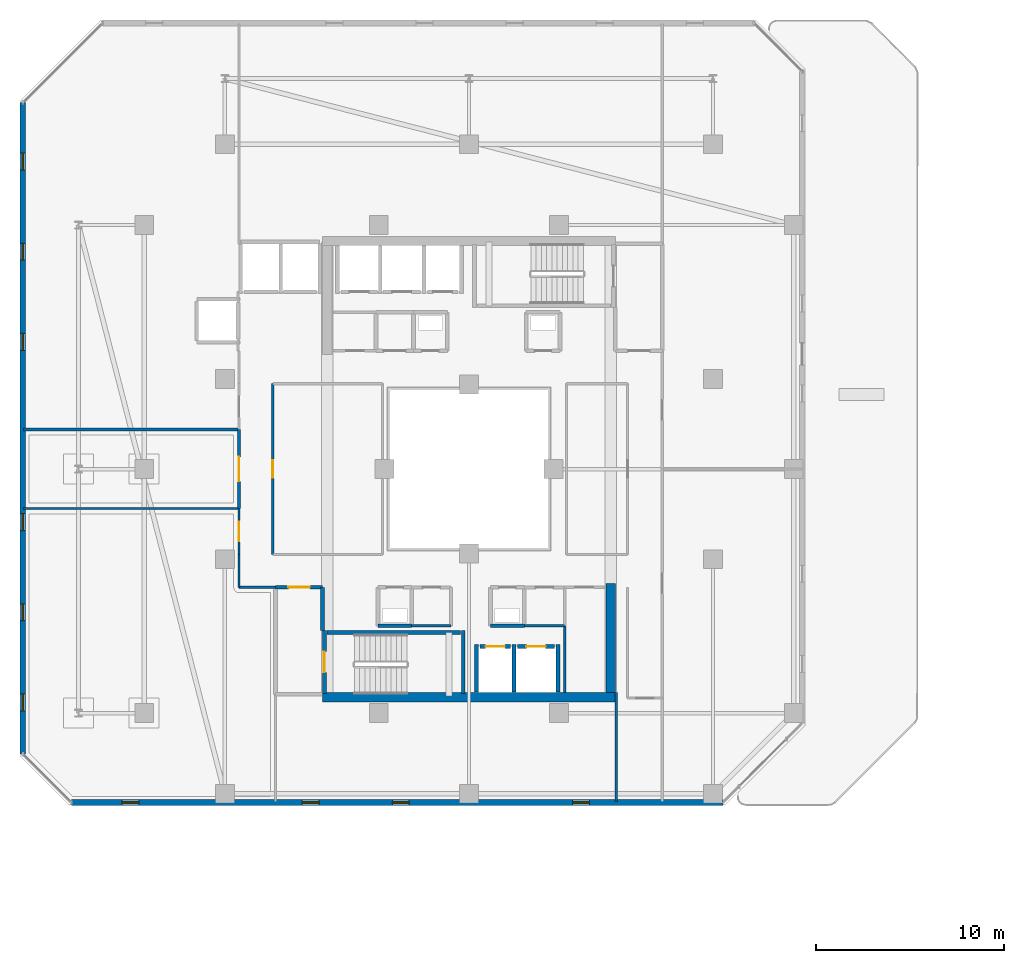
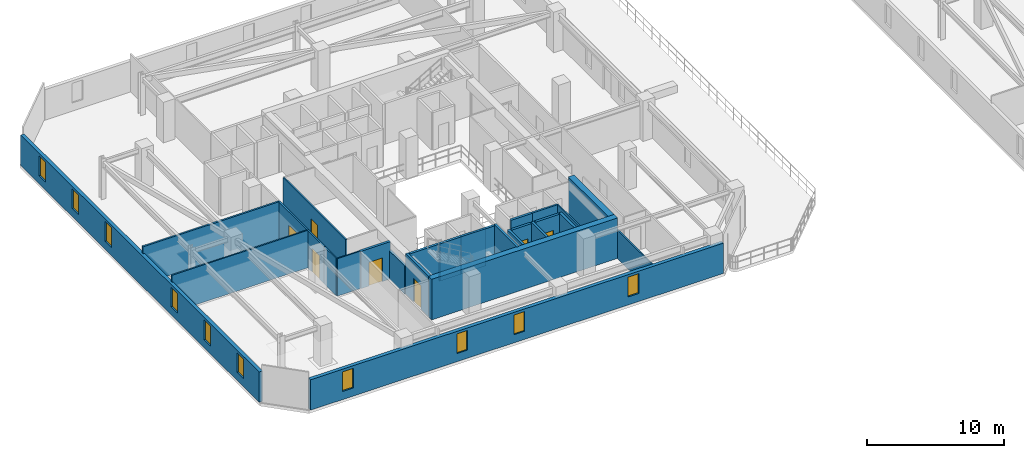
# One storey, part 20 of 32: 27 walls, 10 windows, 7 doors, 17 openings.
"""IFC4 building model written with IfcOpenShell, lengths in metres."""

from ifc_helpers import new_model, si_unit, direction, frame, frame_2d, origin, place, context, subcontext, project, spatial, rectangle, extrude, material, layer, layer_set, type_object, element, fill, save


model = new_model("IFC4")

# Units and contexts
model_context = context("Model", 3, precision=1e-05, world=origin(), true_north=direction((0.0, 1.0)))
body_context = subcontext(model_context, "Body", "Model", "MODEL_VIEW")
ifc_project = project(units=[si_unit("LENGTHUNIT", "METRE"), si_unit("AREAUNIT", "SQUARE_METRE"), si_unit("VOLUMEUNIT", "CUBIC_METRE"), si_unit("PLANEANGLEUNIT", "RADIAN"), si_unit("MASSUNIT", "GRAM", prefix="KILO")], contexts=[model_context])

# Site, building, storey
site_placement = place(None, origin())
site = spatial("IfcSite", under=ifc_project, at=site_placement, CompositionType="ELEMENT")
building_placement = place(site_placement, origin())
building = spatial("IfcBuilding", under=site, at=building_placement, Name="Thornwick Lancets Civic Towers", CompositionType="ELEMENT")
storey_placement = place(building_placement, frame((0.0, 0.0, 200.10009765625)))
storey = spatial("IfcBuildingStorey", under=building, at=storey_placement, Name="L53", CompositionType="ELEMENT", Elevation=200.10009765625)

# Wall, opening, door
ifc_material_1 = material(Name="Concrete blockwork C40/50", Category="masonry")
ifc_layer_1 = layer(ifc_material_1, 0.199951171875, Name="Concrete blockwork C40/50")
ifc_layer_set_1 = layer_set([ifc_layer_1], Name="Concrete blockwork C40/50")
wall_type_1 = type_object("IfcWallType", Name="WALL_COMP_200", PredefinedType="STANDARD", material=ifc_layer_set_1)
wall_1_placement = place(storey_placement, frame((26.080078125, 17.550048828125, 0.0), z_axis=(0.0, 0.0, 1.0), x_axis=(1.0, 0.0, 0.0)))
wall_1 = element("IfcWall", 1, at=wall_1_placement, inside=storey, type_object=wall_type_1, Name="L53 Hoistway Front Wall FL-A1", PredefinedType="STANDARD", context=body_context, shape_type="SweptSolid", body=[
    extrude(rectangle(XDim=1.639892578125, YDim=0.199951171875, at=frame_2d((0.81982421875, 0.0))), origin(), (0.0, 0.0, 1.0), 3.31982421875),
])
opening_1_placement = place(wall_1_placement, frame((0.31005859375, 0.0, 0.0)))
opening_1 = element("IfcOpeningElement", 2, at=opening_1_placement, cuts=wall_1, Name="Opening LD-FL-A1", PredefinedType="OPENING", context=body_context, shape_type="SweptSolid", body=[
    extrude(rectangle(XDim=1.02001953125, YDim=2.06005859375, at=frame_2d((0.510009765625, 1.030029296875))), frame((0.0, 0.10986328125, 0.0), z_axis=(0.0, -1.0, 0.0), x_axis=(1.0, 0.0, 0.0)), (0.0, 0.0, 1.0), 0.219970703125),
])
ifc_material_2 = material(Name="Brushed bronze stainless steel", Category="steel")
door_type_1 = type_object("IfcDoorType", Name="DOOR_LIFT_SLIDE", OperationType="SLIDING_TO_LEFT", PredefinedType="DOOR", material=ifc_material_2)
door_1_placement = place(opening_1_placement, origin())
door_1 = element("IfcDoor", 3, at=door_1_placement, inside=storey, type_object=door_type_1, Name="L53 Sliding Lift Landing Door LD-FL-A1", OperationType="SLIDING_TO_LEFT", OverallHeight=2.06005859375, OverallWidth=1.02001953125, PredefinedType="DOOR", context=body_context, shape_type="SweptSolid", body=[
    extrude(rectangle(XDim=1.02001953125, YDim=2.06005859375, at=frame_2d((0.510009765625, 1.030029296875))), frame((0.0, 0.02490234375, 0.0), z_axis=(0.0, -1.0, 0.0), x_axis=(1.0, 0.0, 0.0)), (0.0, 0.0, 1.0), 0.050048828125),
])
fill(opening_1, door_1)

wall_2_placement = place(storey_placement, frame((28.080078125, 17.550048828125, 0.0), z_axis=(0.0, 0.0, 1.0), x_axis=(1.0, 0.0, 0.0)))
wall_2 = element("IfcWall", 4, at=wall_2_placement, inside=storey, type_object=wall_type_1, Name="L53 Hoistway Front Wall PL-AH1", PredefinedType="STANDARD", context=body_context, shape_type="SweptSolid", body=[
    extrude(rectangle(XDim=1.989990234375, YDim=0.199951171875, at=frame_2d((0.9951171875, 0.0))), origin(), (0.0, 0.0, 1.0), 3.31982421875),
])
opening_2_placement = place(wall_2_placement, frame((0.485107421875, 0.0, 0.0)))
opening_2 = element("IfcOpeningElement", 5, at=opening_2_placement, cuts=wall_2, Name="Opening LD-PL-AH1", PredefinedType="OPENING", context=body_context, shape_type="SweptSolid", body=[
    extrude(rectangle(XDim=1.02001953125, YDim=2.06005859375, at=frame_2d((0.510009765625, 1.030029296875))), frame((0.0, 0.10986328125, 0.0), z_axis=(0.0, -1.0, 0.0), x_axis=(1.0, 0.0, 0.0)), (0.0, 0.0, 1.0), 0.219970703125),
])
door_2_placement = place(opening_2_placement, origin())
door_2 = element("IfcDoor", 6, at=door_2_placement, inside=storey, type_object=door_type_1, Name="L53 Sliding Lift Landing Door LD-PL-AH1", OperationType="SLIDING_TO_LEFT", OverallHeight=2.06005859375, OverallWidth=1.02001953125, PredefinedType="DOOR", context=body_context, shape_type="SweptSolid", body=[
    extrude(rectangle(XDim=1.02001953125, YDim=2.06005859375, at=frame_2d((0.510009765625, 1.030029296875))), frame((0.0, 0.02490234375, 0.0), z_axis=(0.0, -1.0, 0.0), x_axis=(1.0, 0.0, 0.0)), (0.0, 0.0, 1.0), 0.050048828125),
])
fill(opening_2, door_2)

# Walls
for number, where, z_axis, x_axis, name in (
    (7, (27.89990234375, 15.112060546875, 0.0), (0.0, 0.0, 1.0), (0.0, 1.0, 0.0), "L53 Hoistway Shaft Wall FL-A1 E"),
    (8, (25.89990234375, 15.112060546875, 0.0), (0.0, 0.0, 1.0), (0.0, 1.0, 0.0), "L53 Hoistway Shaft Wall FL-A1 W"),
    (9, (30.25, 15.112060546875, 0.0), (0.0, 0.0, 1.0), (0.0, 1.0, 0.0), "L53 Hoistway Shaft Wall PL-AH1 E"),
):
    element("IfcWall", number, at=place(storey_placement, frame(where, z_axis=z_axis, x_axis=x_axis)), inside=storey, type_object=wall_type_1, Name=name, PredefinedType="STANDARD", context=body_context, shape_type="SweptSolid", body=[
        extrude(rectangle(XDim=2.535888671875, YDim=0.199951171875, at=frame_2d((1.26806640625, 0.0))), origin(), (0.0, 0.0, 1.0), 3.31982421875),
    ])
wall_3_placement = place(storey_placement, frame((17.699951171875, 18.39990234375, 0.0), z_axis=(0.0, 0.0, 1.0), x_axis=(0.0, 1.0, 0.0)))
element("IfcWall", 10, at=wall_3_placement, inside=storey, type_object=wall_type_1, Name="L53 Partition L53-A-FFLOB1 E2", PredefinedType="STANDARD", context=body_context, shape_type="SweptSolid", body=[
    extrude(rectangle(XDim=2.300048828125, YDim=0.199951171875, at=frame_2d((1.14990234375, 0.0))), origin(), (0.0, 0.0, 1.0), 2.52490234375),
])

# Wall, opening, door
wall_4_placement = place(storey_placement, frame((17.699951171875, 20.699951171875, 0.0), z_axis=(0.0, 0.0, 1.0), x_axis=(-1.0, 0.0, 0.0)))
wall_4 = element("IfcWall", 11, at=wall_4_placement, inside=storey, type_object=wall_type_1, Name="L53 Partition L53-A-FFLOB1 E3", PredefinedType="STANDARD", context=body_context, shape_type="SweptSolid", body=[
    extrude(rectangle(XDim=2.5, YDim=0.199951171875, at=frame_2d((1.25, 0.0))), origin(), (0.0, 0.0, 1.0), 3.31982421875),
])
opening_3_placement = place(wall_4_placement, frame((0.675048828125, 0.0, 0.0)))
opening_3 = element("IfcOpeningElement", 12, at=opening_3_placement, cuts=wall_4, Name="Opening D-L53-2345", PredefinedType="OPENING", context=body_context, shape_type="SweptSolid", body=[
    extrude(rectangle(XDim=1.14990234375, YDim=2.10009765625, at=frame_2d((0.574951171875, 1.050048828125))), frame((0.0, 0.10986328125, 0.0), z_axis=(0.0, -1.0, 0.0), x_axis=(1.0, 0.0, 0.0)), (0.0, 0.0, 1.0), 0.219970703125),
])
ifc_material_3 = material(Name="Glazed fire-resisting steel", Category="steel")
door_type_2 = type_object("IfcDoorType", Name="DOOR_LOBBY_FD60", OperationType="NOTDEFINED", PredefinedType="DOOR", material=ifc_material_3)
door_3_placement = place(opening_3_placement, origin())
door_3 = element("IfcDoor", 13, at=door_3_placement, inside=storey, type_object=door_type_2, Name="L53 South Firefighting Lobby 1 Door", OperationType="SINGLE_SWING_RIGHT", OverallHeight=2.10009765625, OverallWidth=1.14990234375, PredefinedType="DOOR", context=body_context, shape_type="SweptSolid", body=[
    extrude(rectangle(XDim=1.14990234375, YDim=2.10009765625, at=frame_2d((0.574951171875, 1.050048828125))), frame((0.0, 0.02490234375, 0.0), z_axis=(0.0, -1.0, 0.0), x_axis=(1.0, 0.0, 0.0)), (0.0, 0.0, 1.0), 0.050048828125),
])
fill(opening_3, door_3)

# Walls
for number, where, z_axis, x_axis, name in (
    (14, (26.64990234375, 18.64990234375, 0.0), (0.0, 0.0, 1.0), (1.0, 0.0, 0.0), "L53 Partition L53-A-DUCT1 E1"),
    (15, (20.64990234375, 18.64990234375, 0.0), (0.0, 0.0, 1.0), (1.0, 0.0, 0.0), "L53 Partition L53-A-RISER1 E1"),
):
    element("IfcWall", number, at=place(storey_placement, frame(where, z_axis=z_axis, x_axis=x_axis)), inside=storey, type_object=wall_type_1, Name=name, PredefinedType="STANDARD", context=body_context, shape_type="SweptSolid", body=[
        extrude(rectangle(XDim=1.800048828125, YDim=0.199951171875, at=frame_2d((0.89990234375, 0.0))), origin(), (0.0, 0.0, 1.0), 3.31982421875),
    ])
ifc_material_4 = material(Name="Concrete C50/60", Category="concrete")
ifc_layer_2 = layer(ifc_material_4, 0.5, Name="Concrete C50/60")
ifc_layer_set_2 = layer_set([ifc_layer_2], Name="Concrete C50/60")
wall_type_2 = type_object("IfcWallType", Name="WALL_CORE_500", PredefinedType="SHEAR", material=ifc_layer_set_2)
wall_5_placement = place(storey_placement, frame((17.699951171875, 14.85009765625, 0.0), z_axis=(0.0, 0.0, 1.0), x_axis=(1.0, 0.0, 0.0)))
element("IfcWall", 16, at=wall_5_placement, inside=storey, type_object=wall_type_2, Name="L53 Split Core A1 Shear Wall S", PredefinedType="SHEAR", context=body_context, shape_type="SweptSolid", body=[
    extrude(rectangle(XDim=15.60009765625, YDim=0.5, at=frame_2d((7.800048828125, 0.0))), origin(), (0.0, 0.0, 1.0), 3.599853515625),
])
wall_6_placement = place(storey_placement, frame((33.050048828125, 15.10009765625, 0.0), z_axis=(0.0, 0.0, 1.0), x_axis=(0.0, 1.0, 0.0)))
element("IfcWall", 17, at=wall_6_placement, inside=storey, type_object=wall_type_2, Name="L53 Split Core A1 Shear Wall E", PredefinedType="SHEAR", context=body_context, shape_type="SweptSolid", body=[
    extrude(rectangle(XDim=5.7998046875, YDim=0.5, at=frame_2d((2.89990234375, 0.0))), origin(), (0.0, 0.0, 1.0), 3.599853515625),
])

# Wall, openings, windows
ifc_material_5 = material(Name="Insulated russet terracotta rainscreen on concrete C40/50", Category="masonry")
ifc_layer_3 = layer(ifc_material_5, 0.300048828125, Name="Insulated russet terracotta rainscreen on concrete C40/50")
ifc_layer_set_3 = layer_set([ifc_layer_3], Name="Insulated russet terracotta rainscreen on concrete C40/50")
wall_type_3 = type_object("IfcWallType", Name="WALL_EXT_RUSSET_300", PredefinedType="STANDARD", material=ifc_layer_set_3)
wall_7_placement = place(storey_placement, frame((4.318603515625, 9.2353515625, 0.0), z_axis=(0.0, 0.0, 1.0), x_axis=(0.999999988026, 0.000154754115, 0.0)))
wall_7 = element("IfcWall", 18, at=wall_7_placement, inside=storey, type_object=wall_type_3, Name="L53 Tower A Terracotta Facade Wall E0", PredefinedType="STANDARD", context=body_context, shape_type="SweptSolid", body=[
    extrude(rectangle(XDim=34.707275390625, YDim=0.300048828125, at=frame_2d((17.353515625, 0.0))), origin(), (0.0, 0.0, 1.0), 2.699951171875),
])
opening_4_placement = place(wall_7_placement, frame((2.699951171875, 0.0, 0.719970703125)))
opening_4 = element("IfcOpeningElement", 19, at=opening_4_placement, cuts=wall_7, Name="Opening WL-01", PredefinedType="OPENING", context=body_context, shape_type="SweptSolid", body=[
    extrude(rectangle(XDim=0.89990234375, YDim=1.75, at=frame_2d((0.449951171875, 0.875))), frame((0.0, 0.16015625, 0.0), z_axis=(0.0, -1.0, 0.0), x_axis=(1.0, 0.0, 0.0)), (0.0, 0.0, 1.0), 0.320068359375),
])
opening_5_placement = place(wall_7_placement, frame((12.300048828125, 0.0, 0.719970703125)))
opening_5 = element("IfcOpeningElement", 20, at=opening_5_placement, cuts=wall_7, Name="Opening WL-01", PredefinedType="OPENING", context=body_context, shape_type="SweptSolid", body=[
    extrude(rectangle(XDim=0.89990234375, YDim=1.75, at=frame_2d((0.449951171875, 0.875))), frame((0.0, 0.16015625, 0.0), z_axis=(0.0, -1.0, 0.0), x_axis=(1.0, 0.0, 0.0)), (0.0, 0.0, 1.0), 0.320068359375),
])
opening_6_placement = place(wall_7_placement, frame((17.10009765625, 0.0, 0.719970703125)))
opening_6 = element("IfcOpeningElement", 21, at=opening_6_placement, cuts=wall_7, Name="Opening WL-01", PredefinedType="OPENING", context=body_context, shape_type="SweptSolid", body=[
    extrude(rectangle(XDim=0.89990234375, YDim=1.75, at=frame_2d((0.449951171875, 0.875))), frame((0.0, 0.16015625, 0.0), z_axis=(0.0, -1.0, 0.0), x_axis=(1.0, 0.0, 0.0)), (0.0, 0.0, 1.0), 0.320068359375),
])
opening_7_placement = place(wall_7_placement, frame((26.699951171875, 0.0, 0.719970703125)))
opening_7 = element("IfcOpeningElement", 22, at=opening_7_placement, cuts=wall_7, Name="Opening WL-01", PredefinedType="OPENING", context=body_context, shape_type="SweptSolid", body=[
    extrude(rectangle(XDim=0.89990234375, YDim=1.75, at=frame_2d((0.449951171875, 0.875))), frame((0.0, 0.16015625, 0.0), z_axis=(0.0, -1.0, 0.0), x_axis=(1.0, 0.0, 0.0)), (0.0, 0.0, 1.0), 0.320068359375),
])
ifc_material_6 = material(Name="Clear low-e double glazing in bronze frame", Category="glass")
window_type = type_object("IfcWindowType", Name="WIN_LANCET_900", PartitioningType="SINGLE_PANEL", PredefinedType="WINDOW", material=ifc_material_6)
window_1_placement = place(opening_4_placement, origin())
window_1 = element("IfcWindow", 23, at=window_1_placement, inside=storey, type_object=window_type, Name="L53 Tower A Staggered Lancet Window E0-1", OverallHeight=1.75, OverallWidth=0.89990234375, PartitioningType="SINGLE_PANEL", PredefinedType="WINDOW", context=body_context, shape_type="SweptSolid", body=[
    extrude(rectangle(XDim=0.89990234375, YDim=1.75, at=frame_2d((0.449951171875, 0.875))), frame((0.0, 0.030029296875, 0.0), z_axis=(0.0, -1.0, 0.0), x_axis=(1.0, 0.0, 0.0)), (0.0, 0.0, 1.0), 0.06005859375),
])
fill(opening_4, window_1)
window_2_placement = place(opening_5_placement, origin())
window_2 = element("IfcWindow", 24, at=window_2_placement, inside=storey, type_object=window_type, Name="L53 Tower A Staggered Lancet Window E0-2", OverallHeight=1.75, OverallWidth=0.89990234375, PartitioningType="SINGLE_PANEL", PredefinedType="WINDOW", context=body_context, shape_type="SweptSolid", body=[
    extrude(rectangle(XDim=0.89990234375, YDim=1.75, at=frame_2d((0.449951171875, 0.875))), frame((0.0, 0.030029296875, 0.0), z_axis=(0.0, -1.0, 0.0), x_axis=(1.0, 0.0, 0.0)), (0.0, 0.0, 1.0), 0.06005859375),
])
fill(opening_5, window_2)
window_3_placement = place(opening_6_placement, origin())
window_3 = element("IfcWindow", 25, at=window_3_placement, inside=storey, type_object=window_type, Name="L53 Tower A Staggered Lancet Window E0-3", OverallHeight=1.75, OverallWidth=0.89990234375, PartitioningType="SINGLE_PANEL", PredefinedType="WINDOW", context=body_context, shape_type="SweptSolid", body=[
    extrude(rectangle(XDim=0.89990234375, YDim=1.75, at=frame_2d((0.449951171875, 0.875))), frame((0.0, 0.030029296875, 0.0), z_axis=(0.0, -1.0, 0.0), x_axis=(1.0, 0.0, 0.0)), (0.0, 0.0, 1.0), 0.06005859375),
])
fill(opening_6, window_3)
window_4_placement = place(opening_7_placement, origin())
window_4 = element("IfcWindow", 26, at=window_4_placement, inside=storey, type_object=window_type, Name="L53 Tower A Staggered Lancet Window E0-4", OverallHeight=1.75, OverallWidth=0.89990234375, PartitioningType="SINGLE_PANEL", PredefinedType="WINDOW", context=body_context, shape_type="SweptSolid", body=[
    extrude(rectangle(XDim=0.89990234375, YDim=1.75, at=frame_2d((0.449951171875, 0.875))), frame((0.0, 0.030029296875, 0.0), z_axis=(0.0, -1.0, 0.0), x_axis=(1.0, 0.0, 0.0)), (0.0, 0.0, 1.0), 0.06005859375),
])
fill(opening_7, window_4)

wall_8_placement = place(storey_placement, frame((1.74072265625, 46.52587890625, 0.0), z_axis=(0.0, 0.0, 1.0), x_axis=(-0.000154754115, -0.999999988026, 0.0)))
wall_8 = element("IfcWall", 27, at=wall_8_placement, inside=storey, type_object=wall_type_3, Name="L53 Tower A Terracotta Facade Wall E6", PredefinedType="STANDARD", context=body_context, shape_type="SweptSolid", body=[
    extrude(rectangle(XDim=34.707275390625, YDim=0.300048828125, at=frame_2d((17.353515625, 0.0))), origin(), (0.0, 0.0, 1.0), 2.699951171875),
])
opening_8_placement = place(wall_8_placement, frame((2.699951171875, 0.0, 0.719970703125)))
opening_8 = element("IfcOpeningElement", 28, at=opening_8_placement, cuts=wall_8, Name="Opening WL-01", PredefinedType="OPENING", context=body_context, shape_type="SweptSolid", body=[
    extrude(rectangle(XDim=0.89990234375, YDim=1.75, at=frame_2d((0.449951171875, 0.875))), frame((0.0, 0.16015625, 0.0), z_axis=(0.0, -1.0, 0.0), x_axis=(1.0, 0.0, 0.0)), (0.0, 0.0, 1.0), 0.320068359375),
])
opening_9_placement = place(wall_8_placement, frame((7.5, 0.0, 0.719970703125)))
opening_9 = element("IfcOpeningElement", 29, at=opening_9_placement, cuts=wall_8, Name="Opening WL-01", PredefinedType="OPENING", context=body_context, shape_type="SweptSolid", body=[
    extrude(rectangle(XDim=0.89990234375, YDim=1.75, at=frame_2d((0.449951171875, 0.875))), frame((0.0, 0.16015625, 0.0), z_axis=(0.0, -1.0, 0.0), x_axis=(1.0, 0.0, 0.0)), (0.0, 0.0, 1.0), 0.320068359375),
])
opening_10_placement = place(wall_8_placement, frame((12.300048828125, 0.0, 0.719970703125)))
opening_10 = element("IfcOpeningElement", 30, at=opening_10_placement, cuts=wall_8, Name="Opening WL-01", PredefinedType="OPENING", context=body_context, shape_type="SweptSolid", body=[
    extrude(rectangle(XDim=0.89990234375, YDim=1.75, at=frame_2d((0.449951171875, 0.875))), frame((0.0, 0.16015625, 0.0), z_axis=(0.0, -1.0, 0.0), x_axis=(1.0, 0.0, 0.0)), (0.0, 0.0, 1.0), 0.320068359375),
])
opening_11_placement = place(wall_8_placement, frame((21.89990234375, 0.0, 0.719970703125)))
opening_11 = element("IfcOpeningElement", 31, at=opening_11_placement, cuts=wall_8, Name="Opening WL-01", PredefinedType="OPENING", context=body_context, shape_type="SweptSolid", body=[
    extrude(rectangle(XDim=0.89990234375, YDim=1.75, at=frame_2d((0.449951171875, 0.875))), frame((0.0, 0.16015625, 0.0), z_axis=(0.0, -1.0, 0.0), x_axis=(1.0, 0.0, 0.0)), (0.0, 0.0, 1.0), 0.320068359375),
])
opening_12_placement = place(wall_8_placement, frame((26.699951171875, 0.0, 0.719970703125)))
opening_12 = element("IfcOpeningElement", 32, at=opening_12_placement, cuts=wall_8, Name="Opening WL-01", PredefinedType="OPENING", context=body_context, shape_type="SweptSolid", body=[
    extrude(rectangle(XDim=0.89990234375, YDim=1.75, at=frame_2d((0.449951171875, 0.875))), frame((0.0, 0.16015625, 0.0), z_axis=(0.0, -1.0, 0.0), x_axis=(1.0, 0.0, 0.0)), (0.0, 0.0, 1.0), 0.320068359375),
])
opening_13_placement = place(wall_8_placement, frame((31.5, 0.0, 0.719970703125)))
opening_13 = element("IfcOpeningElement", 33, at=opening_13_placement, cuts=wall_8, Name="Opening WL-01", PredefinedType="OPENING", context=body_context, shape_type="SweptSolid", body=[
    extrude(rectangle(XDim=0.89990234375, YDim=1.75, at=frame_2d((0.449951171875, 0.875))), frame((0.0, 0.16015625, 0.0), z_axis=(0.0, -1.0, 0.0), x_axis=(1.0, 0.0, 0.0)), (0.0, 0.0, 1.0), 0.320068359375),
])
window_5_placement = place(opening_8_placement, origin())
window_5 = element("IfcWindow", 34, at=window_5_placement, inside=storey, type_object=window_type, Name="L53 Tower A Staggered Lancet Window E6-1", OverallHeight=1.75, OverallWidth=0.89990234375, PartitioningType="SINGLE_PANEL", PredefinedType="WINDOW", context=body_context, shape_type="SweptSolid", body=[
    extrude(rectangle(XDim=0.89990234375, YDim=1.75, at=frame_2d((0.449951171875, 0.875))), frame((0.0, 0.030029296875, 0.0), z_axis=(0.0, -1.0, 0.0), x_axis=(1.0, 0.0, 0.0)), (0.0, 0.0, 1.0), 0.06005859375),
])
fill(opening_8, window_5)
window_6_placement = place(opening_9_placement, origin())
window_6 = element("IfcWindow", 35, at=window_6_placement, inside=storey, type_object=window_type, Name="L53 Tower A Staggered Lancet Window E6-2", OverallHeight=1.75, OverallWidth=0.89990234375, PartitioningType="SINGLE_PANEL", PredefinedType="WINDOW", context=body_context, shape_type="SweptSolid", body=[
    extrude(rectangle(XDim=0.89990234375, YDim=1.75, at=frame_2d((0.449951171875, 0.875))), frame((0.0, 0.030029296875, 0.0), z_axis=(0.0, -1.0, 0.0), x_axis=(1.0, 0.0, 0.0)), (0.0, 0.0, 1.0), 0.06005859375),
])
fill(opening_9, window_6)
window_7_placement = place(opening_10_placement, origin())
window_7 = element("IfcWindow", 36, at=window_7_placement, inside=storey, type_object=window_type, Name="L53 Tower A Staggered Lancet Window E6-3", OverallHeight=1.75, OverallWidth=0.89990234375, PartitioningType="SINGLE_PANEL", PredefinedType="WINDOW", context=body_context, shape_type="SweptSolid", body=[
    extrude(rectangle(XDim=0.89990234375, YDim=1.75, at=frame_2d((0.449951171875, 0.875))), frame((0.0, 0.030029296875, 0.0), z_axis=(0.0, -1.0, 0.0), x_axis=(1.0, 0.0, 0.0)), (0.0, 0.0, 1.0), 0.06005859375),
])
fill(opening_10, window_7)
window_8_placement = place(opening_11_placement, origin())
window_8 = element("IfcWindow", 37, at=window_8_placement, inside=storey, type_object=window_type, Name="L53 Tower A Staggered Lancet Window E6-4", OverallHeight=1.75, OverallWidth=0.89990234375, PartitioningType="SINGLE_PANEL", PredefinedType="WINDOW", context=body_context, shape_type="SweptSolid", body=[
    extrude(rectangle(XDim=0.89990234375, YDim=1.75, at=frame_2d((0.449951171875, 0.875))), frame((0.0, 0.030029296875, 0.0), z_axis=(0.0, -1.0, 0.0), x_axis=(1.0, 0.0, 0.0)), (0.0, 0.0, 1.0), 0.06005859375),
])
fill(opening_11, window_8)
window_9_placement = place(opening_12_placement, origin())
window_9 = element("IfcWindow", 38, at=window_9_placement, inside=storey, type_object=window_type, Name="L53 Tower A Staggered Lancet Window E6-5", OverallHeight=1.75, OverallWidth=0.89990234375, PartitioningType="SINGLE_PANEL", PredefinedType="WINDOW", context=body_context, shape_type="SweptSolid", body=[
    extrude(rectangle(XDim=0.89990234375, YDim=1.75, at=frame_2d((0.449951171875, 0.875))), frame((0.0, 0.030029296875, 0.0), z_axis=(0.0, -1.0, 0.0), x_axis=(1.0, 0.0, 0.0)), (0.0, 0.0, 1.0), 0.06005859375),
])
fill(opening_12, window_9)
window_10_placement = place(opening_13_placement, origin())
window_10 = element("IfcWindow", 39, at=window_10_placement, inside=storey, type_object=window_type, Name="L53 Tower A Staggered Lancet Window E6-6", OverallHeight=1.75, OverallWidth=0.89990234375, PartitioningType="SINGLE_PANEL", PredefinedType="WINDOW", context=body_context, shape_type="SweptSolid", body=[
    extrude(rectangle(XDim=0.89990234375, YDim=1.75, at=frame_2d((0.449951171875, 0.875))), frame((0.0, 0.030029296875, 0.0), z_axis=(0.0, -1.0, 0.0), x_axis=(1.0, 0.0, 0.0)), (0.0, 0.0, 1.0), 0.06005859375),
])
fill(opening_13, window_10)

# Walls
ifc_material_7 = material(Name="Acoustic gypsum board partition")
ifc_layer_4 = layer(ifc_material_7, 0.1201171875, Name="Acoustic gypsum board partition")
ifc_layer_set_4 = layer_set([ifc_layer_4], Name="Acoustic gypsum board partition")
wall_type_4 = type_object("IfcWallType", Name="WALL_PART_120", PredefinedType="PARTITIONING", material=ifc_layer_set_4)
wall_9_placement = place(storey_placement, frame((30.60009765625, 15.10009765625, 0.0), z_axis=(0.0, 0.0, 1.0), x_axis=(0.0, 1.0, 0.0)))
element("IfcWall", 40, at=wall_9_placement, inside=storey, type_object=wall_type_4, Name="L53 Partition L53-A-ITR E3", PredefinedType="PARTITIONING", context=body_context, shape_type="SweptSolid", body=[
    extrude(rectangle(XDim=3.5498046875, YDim=0.1201171875, at=frame_2d((1.77490234375, 0.0))), origin(), (0.0, 0.0, 1.0), 3.31982421875),
])
wall_10_placement = place(storey_placement, frame((33.35009765625, 9.280029296875, 0.0), z_axis=(0.0, 0.0, 1.0), x_axis=(0.0, 1.0, 0.0)))
element("IfcWall", 41, at=wall_10_placement, inside=storey, type_object=wall_type_4, Name="L53 Partition L53-A-RECLAIM-L E6", PredefinedType="PARTITIONING", context=body_context, shape_type="SweptSolid", body=[
    extrude(rectangle(XDim=5.820068359375, YDim=0.1201171875, at=frame_2d((2.91015625, 0.0))), origin(), (0.0, 0.0, 1.0), 2.52490234375),
])
wall_11_placement = place(storey_placement, frame((1.780029296875, 24.89990234375, 0.0), z_axis=(0.0, 0.0, 1.0), x_axis=(1.0, 0.0, 0.0)))
element("IfcWall", 42, at=wall_11_placement, inside=storey, type_object=wall_type_4, Name="L53 Partition L53-A-W1 E2", PredefinedType="PARTITIONING", context=body_context, shape_type="SweptSolid", body=[
    extrude(rectangle(XDim=11.469970703125, YDim=0.1201171875, at=frame_2d((5.73486328125, 0.0))), origin(), (0.0, 0.0, 1.0), 3.31982421875),
])

# Wall, opening, door
wall_12_placement = place(storey_placement, frame((13.25, 24.89990234375, 0.0), z_axis=(0.0, 0.0, 1.0), x_axis=(0.0, -1.0, 0.0)))
wall_12 = element("IfcWall", 43, at=wall_12_placement, inside=storey, type_object=wall_type_4, Name="L53 Partition L53-A-W1 E3", PredefinedType="PARTITIONING", context=body_context, shape_type="SweptSolid", body=[
    extrude(rectangle(XDim=2.449951171875, YDim=0.1201171875, at=frame_2d((1.22509765625, 0.0))), origin(), (0.0, 0.0, 1.0), 3.31982421875),
])
opening_14_placement = place(wall_12_placement, frame((0.699951171875, 0.0, 0.0)))
opening_14 = element("IfcOpeningElement", 44, at=opening_14_placement, cuts=wall_12, Name="Opening D-L53-2368", PredefinedType="OPENING", context=body_context, shape_type="SweptSolid", body=[
    extrude(rectangle(XDim=1.050048828125, YDim=2.10009765625, at=frame_2d((0.52490234375, 1.050048828125))), frame((0.0, 0.070068359375, 0.0), z_axis=(0.0, -1.0, 0.0), x_axis=(1.0, 0.0, 0.0)), (0.0, 0.0, 1.0), 0.14013671875),
])
ifc_material_8 = material(Name="Glazed European oak executive doorset")
door_type_3 = type_object("IfcDoorType", Name="DOOR_OFFICE_1050", OperationType="NOTDEFINED", PredefinedType="DOOR", material=ifc_material_8)
door_4_placement = place(opening_14_placement, origin())
door_4 = element("IfcDoor", 45, at=door_4_placement, inside=storey, type_object=door_type_3, Name="L53 Tower A Ministry Directorate Office W1 Door", OperationType="SINGLE_SWING_LEFT", OverallHeight=2.10009765625, OverallWidth=1.050048828125, PredefinedType="DOOR", context=body_context, shape_type="SweptSolid", body=[
    extrude(rectangle(XDim=1.050048828125, YDim=2.10009765625, at=frame_2d((0.52490234375, 1.050048828125))), frame((0.0, 0.02490234375, 0.0), z_axis=(0.0, -1.0, 0.0), x_axis=(1.0, 0.0, 0.0)), (0.0, 0.0, 1.0), 0.050048828125),
])
fill(opening_14, door_4)

# Walls
wall_13_placement = place(storey_placement, frame((13.25, 22.449951171875, 0.0), z_axis=(0.0, 0.0, 1.0), x_axis=(0.0, -1.0, 0.0)))
element("IfcWall", 46, at=wall_13_placement, inside=storey, type_object=wall_type_4, Name="L53 Partition L53-A-W1 E4", PredefinedType="PARTITIONING", context=body_context, shape_type="SweptSolid", body=[
    extrude(rectangle(XDim=1.75, YDim=0.1201171875, at=frame_2d((0.875, 0.0))), origin(), (0.0, 0.0, 1.0), 3.31982421875),
])
wall_14_placement = place(storey_placement, frame((13.25, 20.699951171875, 0.0), z_axis=(0.0, 0.0, 1.0), x_axis=(1.0, 0.0, 0.0)))
element("IfcWall", 47, at=wall_14_placement, inside=storey, type_object=wall_type_4, Name="L53 Partition L53-A-W1 E5", PredefinedType="PARTITIONING", context=body_context, shape_type="SweptSolid", body=[
    extrude(rectangle(XDim=1.949951171875, YDim=0.1201171875, at=frame_2d((0.97509765625, 0.0))), origin(), (0.0, 0.0, 1.0), 3.31982421875),
])

# Wall, opening, door
wall_15_placement = place(storey_placement, frame((15.050048828125, 22.449951171875, 0.0), z_axis=(0.0, 0.0, 1.0), x_axis=(0.0, 1.0, 0.0)))
wall_15 = element("IfcWall", 48, at=wall_15_placement, inside=storey, type_object=wall_type_4, Name="L53 Partition L53-A-W3 E1", PredefinedType="PARTITIONING", context=body_context, shape_type="SweptSolid", body=[
    extrude(rectangle(XDim=9.10009765625, YDim=0.1201171875, at=frame_2d((4.550048828125, 0.0))), origin(), (0.0, 0.0, 1.0), 3.31982421875),
])
opening_15_placement = place(wall_15_placement, frame((4.074951171875, 0.0, 0.0)))
opening_15 = element("IfcOpeningElement", 49, at=opening_15_placement, cuts=wall_15, Name="Opening D-L53-2371", PredefinedType="OPENING", context=body_context, shape_type="SweptSolid", body=[
    extrude(rectangle(XDim=0.949951171875, YDim=2.10009765625, at=frame_2d((0.47509765625, 1.050048828125))), frame((0.0, 0.070068359375, 0.0), z_axis=(0.0, -1.0, 0.0), x_axis=(1.0, 0.0, 0.0)), (0.0, 0.0, 1.0), 0.14013671875),
])
ifc_material_9 = material(Name="European oak acoustic doorset")
door_type_4 = type_object("IfcDoorType", Name="DOOR_OFFICE_950", OperationType="NOTDEFINED", PredefinedType="DOOR", material=ifc_material_9)
door_5_placement = place(opening_15_placement, origin())
door_5 = element("IfcDoor", 50, at=door_5_placement, inside=storey, type_object=door_type_4, Name="L53 Tower A West Atrium Gallery Suite Door", OperationType="SINGLE_SWING_RIGHT", OverallHeight=2.10009765625, OverallWidth=0.949951171875, PredefinedType="DOOR", context=body_context, shape_type="SweptSolid", body=[
    extrude(rectangle(XDim=0.949951171875, YDim=2.10009765625, at=frame_2d((0.47509765625, 1.050048828125))), frame((0.0, 0.02490234375, 0.0), z_axis=(0.0, -1.0, 0.0), x_axis=(1.0, 0.0, 0.0)), (0.0, 0.0, 1.0), 0.050048828125),
])
fill(opening_15, door_5)

# Walls
ifc_material_10 = material(Name="Twin-stud acoustic gypsum board")
ifc_layer_5 = layer(ifc_material_10, 0.14990234375, Name="Twin-stud acoustic gypsum board")
ifc_layer_set_5 = layer_set([ifc_layer_5], Name="Twin-stud acoustic gypsum board")
wall_type_5 = type_object("IfcWallType", Name="WALL_PART_150", PredefinedType="PARTITIONING", material=ifc_layer_set_5)
wall_16_placement = place(storey_placement, frame((24.550048828125, 18.64990234375, 0.0), z_axis=(0.0, 0.0, 1.0), x_axis=(-1.0, 0.0, 0.0)))
element("IfcWall", 51, at=wall_16_placement, inside=storey, type_object=wall_type_5, Name="L53 Partition L53-A-MWC E2", PredefinedType="PARTITIONING", context=body_context, shape_type="SweptSolid", body=[
    extrude(rectangle(XDim=2.10009765625, YDim=0.14990234375, at=frame_2d((1.050048828125, 0.0))), origin(), (0.0, 0.0, 1.0), 3.31982421875),
])
wall_17_placement = place(storey_placement, frame((30.60009765625, 18.64990234375, 0.0), z_axis=(0.0, 0.0, 1.0), x_axis=(-1.0, 0.0, 0.0)))
element("IfcWall", 52, at=wall_17_placement, inside=storey, type_object=wall_type_5, Name="L53 Partition L53-A-FWC E2", PredefinedType="PARTITIONING", context=body_context, shape_type="SweptSolid", body=[
    extrude(rectangle(XDim=2.150146484375, YDim=0.14990234375, at=frame_2d((1.0751953125, 0.0))), origin(), (0.0, 0.0, 1.0), 3.31982421875),
])
wall_18_placement = place(storey_placement, frame((1.780029296875, 29.10009765625, 0.0), z_axis=(0.0, 0.0, 1.0), x_axis=(1.0, 0.0, 0.0)))
element("IfcWall", 53, at=wall_18_placement, inside=storey, type_object=wall_type_5, Name="L53 Partition L53-A-W2 E3", PredefinedType="PARTITIONING", context=body_context, shape_type="SweptSolid", body=[
    extrude(rectangle(XDim=11.469970703125, YDim=0.14990234375, at=frame_2d((5.73486328125, 0.0))), origin(), (0.0, 0.0, 1.0), 3.31982421875),
])

# Wall, opening, door
wall_19_placement = place(storey_placement, frame((13.25, 29.10009765625, 0.0), z_axis=(0.0, 0.0, 1.0), x_axis=(0.0, -1.0, 0.0)))
wall_19 = element("IfcWall", 54, at=wall_19_placement, inside=storey, type_object=wall_type_5, Name="L53 Partition L53-A-W2 E4", PredefinedType="PARTITIONING", context=body_context, shape_type="SweptSolid", body=[
    extrude(rectangle(XDim=4.2001953125, YDim=0.14990234375, at=frame_2d((2.10009765625, 0.0))), origin(), (0.0, 0.0, 1.0), 3.31982421875),
])
opening_16_placement = place(wall_19_placement, frame((1.449951171875, 0.0, 0.0)))
opening_16 = element("IfcOpeningElement", 55, at=opening_16_placement, cuts=wall_19, Name="Opening D-L53-2369", PredefinedType="OPENING", context=body_context, shape_type="SweptSolid", body=[
    extrude(rectangle(XDim=1.300048828125, YDim=2.1201171875, at=frame_2d((0.64990234375, 1.06005859375))), frame((0.0, 0.0849609375, 0.0), z_axis=(0.0, -1.0, 0.0), x_axis=(1.0, 0.0, 0.0)), (0.0, 0.0, 1.0), 0.169921875),
])
ifc_material_11 = material(Name="Acoustic oak leaf-and-a-half doorset")
door_type_5 = type_object("IfcDoorType", Name="DOOR_MEET_1300", OperationType="DOUBLE_DOOR_SINGLE_SWING", PredefinedType="DOOR", material=ifc_material_11)
door_6_placement = place(opening_16_placement, origin())
door_6 = element("IfcDoor", 56, at=door_6_placement, inside=storey, type_object=door_type_5, Name="L53 Tower A Policy Briefing Room W2 Door", OperationType="DOUBLE_DOOR_SINGLE_SWING", OverallHeight=2.1201171875, OverallWidth=1.300048828125, PredefinedType="DOOR", context=body_context, shape_type="SweptSolid", body=[
    extrude(rectangle(XDim=1.300048828125, YDim=2.1201171875, at=frame_2d((0.64990234375, 1.06005859375))), frame((0.0, 0.02490234375, 0.0), z_axis=(0.0, -1.0, 0.0), x_axis=(1.0, 0.0, 0.0)), (0.0, 0.0, 1.0), 0.050048828125),
])
fill(opening_16, door_6)

ifc_material_12 = material(Name="Concrete C40/50", Category="concrete")
ifc_layer_6 = layer(ifc_material_12, 0.199951171875, Name="Concrete C40/50")
ifc_layer_set_6 = layer_set([ifc_layer_6], Name="Concrete C40/50")
wall_type_6 = type_object("IfcWallType", Name="WALL_SHAFT_200", PredefinedType="SHEAR", material=ifc_layer_set_6)
wall_20_placement = place(storey_placement, frame((17.800048828125, 15.050048828125, 0.0), z_axis=(0.0, 0.0, 1.0), x_axis=(0.0, 1.0, 0.0)))
wall_20 = element("IfcWall", 57, at=wall_20_placement, inside=storey, type_object=wall_type_6, Name="L53 ST-A1 Fire Stair Core Wall NEAR", PredefinedType="SHEAR", context=body_context, shape_type="SweptSolid", body=[
    extrude(rectangle(XDim=3.349853515625, YDim=0.199951171875, at=frame_2d((1.6748046875, 0.0))), origin(), (0.0, 0.0, 1.0), 3.599853515625),
])
opening_17_placement = place(wall_20_placement, frame((1.125, 0.0, 0.0)))
opening_17 = element("IfcOpeningElement", 58, at=opening_17_placement, cuts=wall_20, Name="Opening D-ST-A1-L53", PredefinedType="OPENING", context=body_context, shape_type="SweptSolid", body=[
    extrude(rectangle(XDim=1.10009765625, YDim=2.10009765625, at=frame_2d((0.550048828125, 1.050048828125))), frame((0.0, 0.10986328125, 0.0), z_axis=(0.0, -1.0, 0.0), x_axis=(1.0, 0.0, 0.0)), (0.0, 0.0, 1.0), 0.219970703125),
])
ifc_material_13 = material(Name="Fire-resisting steel and hardwood", Category="steel")
door_type_6 = type_object("IfcDoorType", Name="DOOR_STAIR_FD60", OperationType="NOTDEFINED", PredefinedType="DOOR", material=ifc_material_13)
door_7_placement = place(opening_17_placement, origin())
door_7 = element("IfcDoor", 59, at=door_7_placement, inside=storey, type_object=door_type_6, Name="L53 ST-A1 Exit Stair Door", OperationType="SINGLE_SWING_RIGHT", OverallHeight=2.10009765625, OverallWidth=1.10009765625, PredefinedType="DOOR", context=body_context, shape_type="SweptSolid", body=[
    extrude(rectangle(XDim=1.10009765625, YDim=2.10009765625, at=frame_2d((0.550048828125, 1.050048828125))), frame((0.0, 0.02490234375, 0.0), z_axis=(0.0, -1.0, 0.0), x_axis=(1.0, 0.0, 0.0)), (0.0, 0.0, 1.0), 0.050048828125),
])
fill(opening_17, door_7)

# Walls
wall_21_placement = place(storey_placement, frame((25.199951171875, 18.39990234375, 0.0), z_axis=(0.0, 0.0, 1.0), x_axis=(0.0, -1.0, 0.0)))
element("IfcWall", 60, at=wall_21_placement, inside=storey, type_object=wall_type_6, Name="L53 ST-A1 Fire Stair Core Wall FAR", PredefinedType="SHEAR", context=body_context, shape_type="SweptSolid", body=[
    extrude(rectangle(XDim=3.349853515625, YDim=0.199951171875, at=frame_2d((1.6748046875, 0.0))), origin(), (0.0, 0.0, 1.0), 3.599853515625),
])
wall_22_placement = place(storey_placement, frame((25.050048828125, 18.297119140625, 0.0), z_axis=(0.0, 0.0, 1.0), x_axis=(-1.0, 0.0, 0.0)))
element("IfcWall", 61, at=wall_22_placement, inside=storey, type_object=wall_type_6, Name="L53 ST-A1 Fire Stair Core Wall RIGHT", PredefinedType="SHEAR", context=body_context, shape_type="SweptSolid", body=[
    extrude(rectangle(XDim=7.10009765625, YDim=0.199951171875, at=frame_2d((3.550048828125, 0.0))), origin(), (0.0, 0.0, 1.0), 3.599853515625),
])

save(model, "model.ifc")
